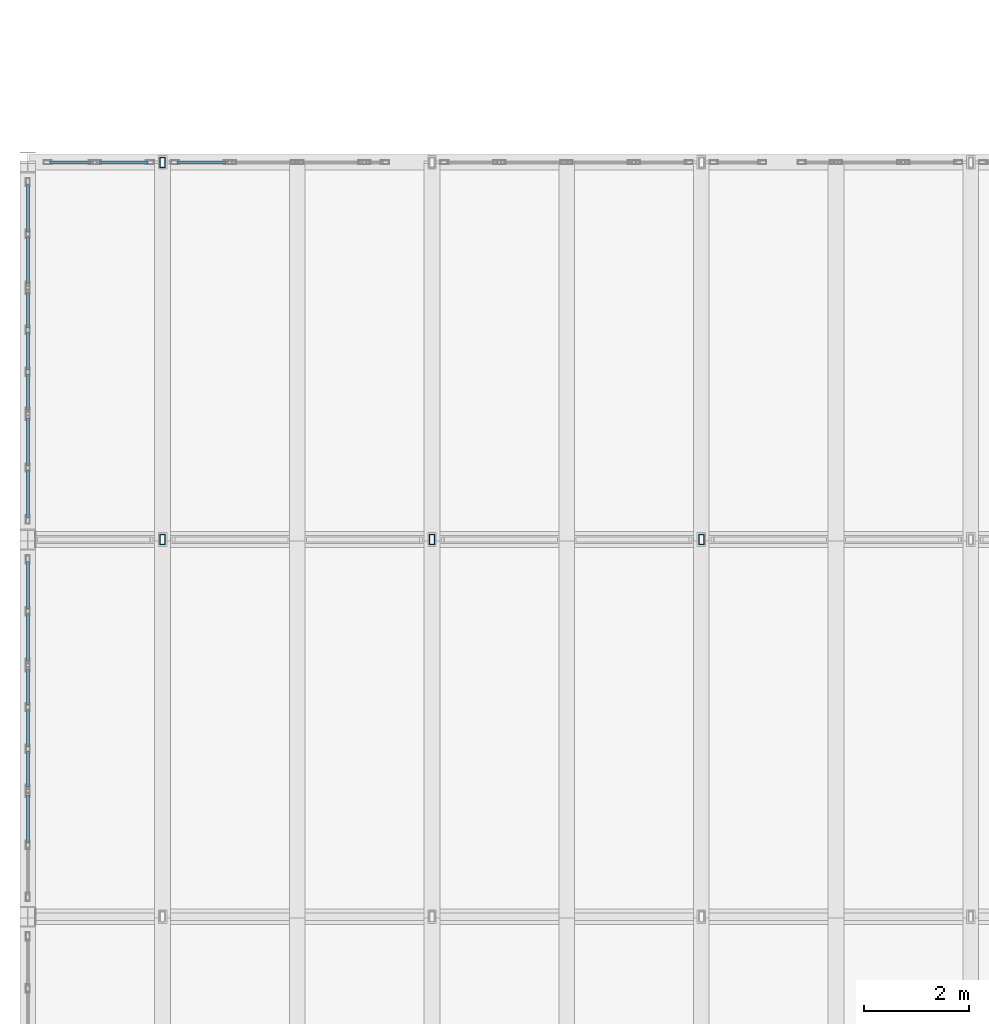
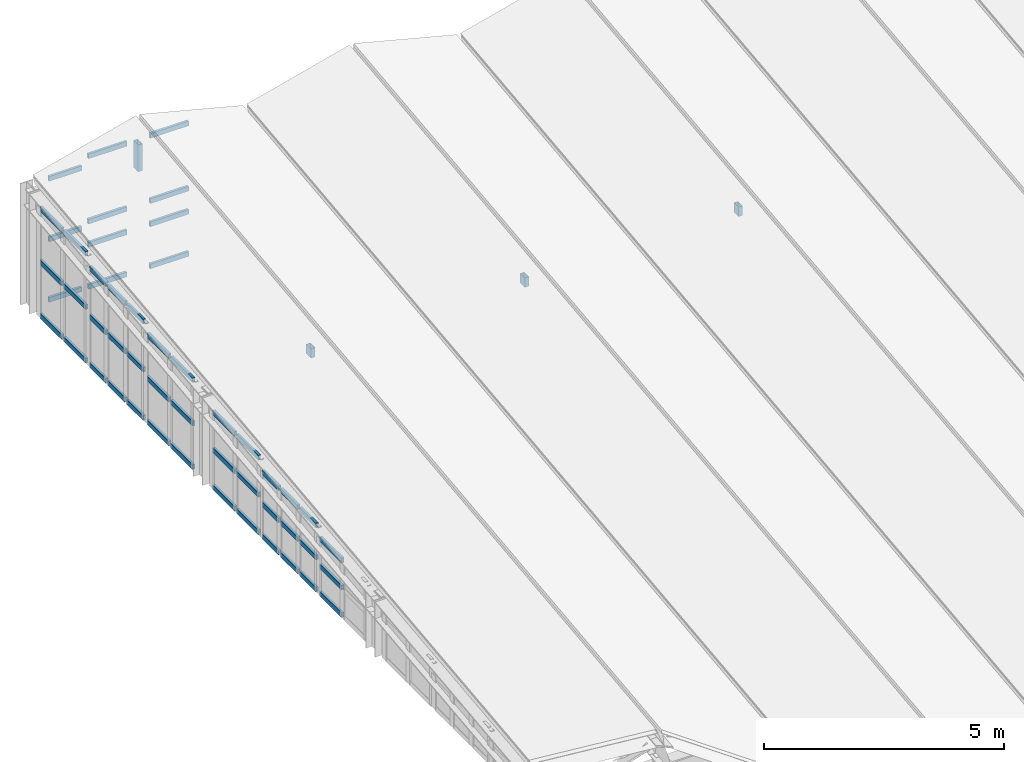
# One storey, part 20 of 39: 54 members, 9 elements without a shape of their own.
"""IFC4 building model written with IfcOpenShell, lengths in metres."""

from ifc_helpers import new_model, si_unit, direction, frame, origin, origin_2d, place, context, subcontext, project, spatial, hollow_rectangle, extrude, material, layer, layer_set, material_profile, profile_set, type_object, element, aggregate, save


model = new_model("IFC4")

# Units and contexts
model_context = context("Model", 3, precision=1e-05, world=origin(), true_north=direction((0.0, 1.0)))
body_context = subcontext(model_context, "Body", "Model", "MODEL_VIEW")
ifc_project = project(units=[si_unit("LENGTHUNIT", "METRE"), si_unit("AREAUNIT", "SQUARE_METRE"), si_unit("VOLUMEUNIT", "CUBIC_METRE"), si_unit("PLANEANGLEUNIT", "RADIAN"), si_unit("MASSUNIT", "GRAM", prefix="KILO"), si_unit("THERMODYNAMICTEMPERATUREUNIT", "KELVIN"), si_unit("POWERUNIT", "WATT")], contexts=[model_context])

# Site, building, storey
site_placement = place(None, origin())
site = spatial("IfcSite", under=ifc_project, at=site_placement, CompositionType="ELEMENT")
building_placement = place(site_placement, origin())
building = spatial("IfcBuilding", under=site, at=building_placement, Name="Kaldorven Railside Theatre", CompositionType="ELEMENT")
storey_placement = place(building_placement, frame((0.0, 0.0, 27.300048828125)))
storey = spatial("IfcBuildingStorey", under=building, at=storey_placement, Name="ROOF", CompositionType="ELEMENT", Elevation=27.300048828125)

# Curtain wall, members
ifc_material_1 = material(Name="Low-E laminated solar-control glass", Category="glass")
ifc_layer_1 = layer(ifc_material_1, 0.159912109375, Name="Low-E laminated solar-control glass")
ifc_layer_set_1 = layer_set([ifc_layer_1], Name="Low-E laminated solar-control glass")
curtain_wall_type_1 = type_object("IfcCurtainWallType", Name="CWT-47", PredefinedType="USERDEFINED", material=ifc_layer_set_1)
curtain_wall_1_placement = place(storey_placement, origin())
curtain_wall_1 = element("IfcCurtainWall", 1, at=curtain_wall_1_placement, inside=storey, type_object=curtain_wall_type_1, Name="Fly-Tower North Crown Clerestory CWG-063", ObjectType="FLUTED GLAZING", PredefinedType="USERDEFINED")
ifc_material_2 = material(Name="Anodised bronze aluminium", Category="aluminium")
ifc_material_profile_1 = material_profile(ifc_material_2, hollow_rectangle(XDim=0.06005859375, YDim=0.1201171875, WallThickness=0.0048828125, at=origin_2d()), Name="RHS 120x60x5")
ifc_profile_set_1 = profile_set([ifc_material_profile_1], Name="Anodised bronze aluminium")
member_type_1 = type_object("IfcMemberType", Name="CWT-120", PredefinedType="USERDEFINED", material=ifc_profile_set_1)
member_1_placement = place(storey_placement, frame((87.6201171875, 112.800048828125, 0.050048828125), z_axis=(1.0, 0.0, 0.0), x_axis=(0.0, 1.0, 0.0)))
member_1 = element("IfcMember", 2, at=member_1_placement, type_object=member_type_1, Name="CWG-063 transom 1.1", ObjectType="TRANSOM", PredefinedType="USERDEFINED", context=body_context, shape_type="SweptSolid", body=[
    extrude(hollow_rectangle(XDim=0.06005859375, YDim=0.1201171875, WallThickness=0.0048828125, at=origin_2d()), origin(), (0.0, 0.0, 1.0), 0.78564453125),
])
member_2_placement = place(storey_placement, frame((87.6201171875, 112.800048828125, 1.58984375), z_axis=(1.0, 0.0, 0.0), x_axis=(0.0, 1.0, 0.0)))
member_2 = element("IfcMember", 3, at=member_2_placement, type_object=member_type_1, Name="CWG-063 transom 1.2", ObjectType="TRANSOM", PredefinedType="USERDEFINED", context=body_context, shape_type="SweptSolid", body=[
    extrude(hollow_rectangle(XDim=0.06005859375, YDim=0.1201171875, WallThickness=0.0048828125, at=origin_2d()), origin(), (0.0, 0.0, 1.0), 0.78564453125),
])
member_3_placement = place(storey_placement, frame((87.6201171875, 112.800048828125, 3.1298828125), z_axis=(1.0, 0.0, 0.0), x_axis=(0.0, 1.0, 0.0)))
member_3 = element("IfcMember", 4, at=member_3_placement, type_object=member_type_1, Name="CWG-063 transom 1.3", ObjectType="TRANSOM", PredefinedType="USERDEFINED", context=body_context, shape_type="SweptSolid", body=[
    extrude(hollow_rectangle(XDim=0.06005859375, YDim=0.1201171875, WallThickness=0.0048828125, at=origin_2d()), origin(), (0.0, 0.0, 1.0), 0.78564453125),
])
aggregate(curtain_wall_1, [member_1, member_2, member_3])

ifc_layer_2 = layer(ifc_material_1, 0.159912109375, Name="Low-E laminated solar-control glass")
ifc_layer_set_2 = layer_set([ifc_layer_2], Name="Low-E laminated solar-control glass")
curtain_wall_type_2 = type_object("IfcCurtainWallType", Name="CWT-48", PredefinedType="USERDEFINED", material=ifc_layer_set_2)
curtain_wall_2_placement = place(storey_placement, origin())
curtain_wall_2 = element("IfcCurtainWall", 5, at=curtain_wall_2_placement, inside=storey, type_object=curtain_wall_type_2, Name="Fly-Tower North Crown Clerestory CWG-064", ObjectType="FLUTED GLAZING", PredefinedType="USERDEFINED")
member_4_placement = place(storey_placement, frame((88.565673828125, 112.800048828125, 0.050048828125), z_axis=(1.0, 0.0, 0.0), x_axis=(0.0, 1.0, 0.0)))
member_4 = element("IfcMember", 6, at=member_4_placement, type_object=member_type_1, Name="CWG-064 transom 1.1", ObjectType="TRANSOM", PredefinedType="USERDEFINED", context=body_context, shape_type="SweptSolid", body=[
    extrude(hollow_rectangle(XDim=0.06005859375, YDim=0.1201171875, WallThickness=0.0048828125, at=origin_2d()), origin(), (0.0, 0.0, 1.0), 0.92578125),
])
member_5_placement = place(storey_placement, frame((88.565673828125, 112.800048828125, 1.119873046875), z_axis=(1.0, 0.0, 0.0), x_axis=(0.0, 1.0, 0.0)))
member_5 = element("IfcMember", 7, at=member_5_placement, type_object=member_type_1, Name="CWG-064 transom 1.2", ObjectType="TRANSOM", PredefinedType="USERDEFINED", context=body_context, shape_type="SweptSolid", body=[
    extrude(hollow_rectangle(XDim=0.06005859375, YDim=0.1201171875, WallThickness=0.0048828125, at=origin_2d()), origin(), (0.0, 0.0, 1.0), 0.92578125),
])
member_6_placement = place(storey_placement, frame((88.565673828125, 112.800048828125, 1.7099609375), z_axis=(1.0, 0.0, 0.0), x_axis=(0.0, 1.0, 0.0)))
member_6 = element("IfcMember", 8, at=member_6_placement, type_object=member_type_1, Name="CWG-064 transom 1.3", ObjectType="TRANSOM", PredefinedType="USERDEFINED", context=body_context, shape_type="SweptSolid", body=[
    extrude(hollow_rectangle(XDim=0.06005859375, YDim=0.1201171875, WallThickness=0.0048828125, at=origin_2d()), origin(), (0.0, 0.0, 1.0), 0.92578125),
])
member_7_placement = place(storey_placement, frame((88.565673828125, 112.800048828125, 3.369873046875), z_axis=(1.0, 0.0, 0.0), x_axis=(0.0, 1.0, 0.0)))
member_7 = element("IfcMember", 9, at=member_7_placement, type_object=member_type_1, Name="CWG-064 transom 1.4", ObjectType="TRANSOM", PredefinedType="USERDEFINED", context=body_context, shape_type="SweptSolid", body=[
    extrude(hollow_rectangle(XDim=0.06005859375, YDim=0.1201171875, WallThickness=0.0048828125, at=origin_2d()), origin(), (0.0, 0.0, 1.0), 0.92578125),
])
aggregate(curtain_wall_2, [member_4, member_5, member_6, member_7])

curtain_wall_3_placement = place(storey_placement, origin())
curtain_wall_3 = element("IfcCurtainWall", 10, at=curtain_wall_3_placement, inside=storey, type_object=curtain_wall_type_2, Name="Fly-Tower North Crown Clerestory CWG-065", ObjectType="FLUTED GLAZING", PredefinedType="USERDEFINED")
member_8_placement = place(storey_placement, frame((90.051513671875, 112.800048828125, 0.050048828125), z_axis=(1.0, 0.0, 0.0), x_axis=(0.0, 1.0, 0.0)))
member_8 = element("IfcMember", 11, at=member_8_placement, type_object=member_type_1, Name="CWG-065 transom 1.1", ObjectType="TRANSOM", PredefinedType="USERDEFINED", context=body_context, shape_type="SweptSolid", body=[
    extrude(hollow_rectangle(XDim=0.06005859375, YDim=0.1201171875, WallThickness=0.0048828125, at=origin_2d()), origin(), (0.0, 0.0, 1.0), 0.925537109375),
])
member_9_placement = place(storey_placement, frame((90.051513671875, 112.800048828125, 1.119873046875), z_axis=(1.0, 0.0, 0.0), x_axis=(0.0, 1.0, 0.0)))
member_9 = element("IfcMember", 12, at=member_9_placement, type_object=member_type_1, Name="CWG-065 transom 1.2", ObjectType="TRANSOM", PredefinedType="USERDEFINED", context=body_context, shape_type="SweptSolid", body=[
    extrude(hollow_rectangle(XDim=0.06005859375, YDim=0.1201171875, WallThickness=0.0048828125, at=origin_2d()), origin(), (0.0, 0.0, 1.0), 0.925537109375),
])
member_10_placement = place(storey_placement, frame((90.051513671875, 112.800048828125, 1.7099609375), z_axis=(1.0, 0.0, 0.0), x_axis=(0.0, 1.0, 0.0)))
member_10 = element("IfcMember", 13, at=member_10_placement, type_object=member_type_1, Name="CWG-065 transom 1.3", ObjectType="TRANSOM", PredefinedType="USERDEFINED", context=body_context, shape_type="SweptSolid", body=[
    extrude(hollow_rectangle(XDim=0.06005859375, YDim=0.1201171875, WallThickness=0.0048828125, at=origin_2d()), origin(), (0.0, 0.0, 1.0), 0.925537109375),
])
member_11_placement = place(storey_placement, frame((90.051513671875, 112.800048828125, 3.369873046875), z_axis=(1.0, 0.0, 0.0), x_axis=(0.0, 1.0, 0.0)))
member_11 = element("IfcMember", 14, at=member_11_placement, type_object=member_type_1, Name="CWG-065 transom 1.4", ObjectType="TRANSOM", PredefinedType="USERDEFINED", context=body_context, shape_type="SweptSolid", body=[
    extrude(hollow_rectangle(XDim=0.06005859375, YDim=0.1201171875, WallThickness=0.0048828125, at=origin_2d()), origin(), (0.0, 0.0, 1.0), 0.925537109375),
])
aggregate(curtain_wall_3, [member_8, member_9, member_10, member_11])

ifc_layer_3 = layer(ifc_material_1, 0.159912109375, Name="Low-E laminated solar-control glass")
ifc_layer_set_3 = layer_set([ifc_layer_3], Name="Low-E laminated solar-control glass")
curtain_wall_type_3 = type_object("IfcCurtainWallType", Name="CWT-55", PredefinedType="USERDEFINED", material=ifc_layer_set_3)
curtain_wall_4_placement = place(storey_placement, origin())
curtain_wall_4 = element("IfcCurtainWall", 15, at=curtain_wall_4_placement, inside=storey, type_object=curtain_wall_type_3, Name="Fly-Tower West Crown Clerestory CWG-095", ObjectType="FLUTED GLAZING", PredefinedType="USERDEFINED")
member_12_placement = place(storey_placement, frame((87.199951171875, 99.81005859375, 0.050048828125), z_axis=(0.0, 1.0, 0.0), x_axis=(-1.0, 0.0, 0.0)))
member_12 = element("IfcMember", 16, at=member_12_placement, type_object=member_type_1, Name="CWG-095 transom 2.1", ObjectType="TRANSOM", PredefinedType="USERDEFINED", context=body_context, shape_type="SweptSolid", body=[
    extrude(hollow_rectangle(XDim=0.06005859375, YDim=0.1201171875, WallThickness=0.0048828125, at=origin_2d()), origin(), (0.0, 0.0, 1.0), 0.909912109375),
])
member_13_placement = place(storey_placement, frame((87.199951171875, 99.81005859375, 0.744873046875), z_axis=(0.0, 1.0, 0.0), x_axis=(-1.0, 0.0, 0.0)))
member_13 = element("IfcMember", 17, at=member_13_placement, type_object=member_type_1, Name="CWG-095 transom 2.2", ObjectType="TRANSOM", PredefinedType="USERDEFINED", context=body_context, shape_type="SweptSolid", body=[
    extrude(hollow_rectangle(XDim=0.06005859375, YDim=0.1201171875, WallThickness=0.0048828125, at=origin_2d()), origin(), (0.0, 0.0, 1.0), 0.909912109375),
])
member_14_placement = place(storey_placement, frame((87.199951171875, 99.81005859375, 1.43994140625), z_axis=(0.0, 1.0, 0.0), x_axis=(-1.0, 0.0, 0.0)))
member_14 = element("IfcMember", 18, at=member_14_placement, type_object=member_type_1, Name="CWG-095 transom 2.3", ObjectType="TRANSOM", PredefinedType="USERDEFINED", context=body_context, shape_type="SweptSolid", body=[
    extrude(hollow_rectangle(XDim=0.06005859375, YDim=0.1201171875, WallThickness=0.0048828125, at=origin_2d()), origin(), (0.0, 0.0, 1.0), 0.909912109375),
])
aggregate(curtain_wall_4, [member_12, member_13, member_14])

ifc_layer_4 = layer(ifc_material_1, 0.159912109375, Name="Low-E laminated solar-control glass")
ifc_layer_set_4 = layer_set([ifc_layer_4], Name="Low-E laminated solar-control glass")
curtain_wall_type_4 = type_object("IfcCurtainWallType", Name="CWT-56", PredefinedType="USERDEFINED", material=ifc_layer_set_4)
curtain_wall_5_placement = place(storey_placement, origin())
curtain_wall_5 = element("IfcCurtainWall", 19, at=curtain_wall_5_placement, inside=storey, type_object=curtain_wall_type_4, Name="Fly-Tower West Crown Clerestory CWG-096", ObjectType="FLUTED GLAZING", PredefinedType="USERDEFINED")
member_15_placement = place(storey_placement, frame((87.199951171875, 100.8798828125, 0.050048828125), z_axis=(0.0, 1.0, 0.0), x_axis=(-1.0, 0.0, 0.0)))
member_15 = element("IfcMember", 20, at=member_15_placement, type_object=member_type_1, Name="CWG-096 transom 1.1", ObjectType="TRANSOM", PredefinedType="USERDEFINED", context=body_context, shape_type="SweptSolid", body=[
    extrude(hollow_rectangle(XDim=0.06005859375, YDim=0.1201171875, WallThickness=0.0048828125, at=origin_2d()), origin(), (0.0, 0.0, 1.0), 0.68017578125),
])
member_16_placement = place(storey_placement, frame((87.199951171875, 100.8798828125, 0.864990234375), z_axis=(0.0, 1.0, 0.0), x_axis=(-1.0, 0.0, 0.0)))
member_16 = element("IfcMember", 21, at=member_16_placement, type_object=member_type_1, Name="CWG-096 transom 1.2", ObjectType="TRANSOM", PredefinedType="USERDEFINED", context=body_context, shape_type="SweptSolid", body=[
    extrude(hollow_rectangle(XDim=0.06005859375, YDim=0.1201171875, WallThickness=0.0048828125, at=origin_2d()), origin(), (0.0, 0.0, 1.0), 0.68017578125),
])
member_17_placement = place(storey_placement, frame((87.199951171875, 100.8798828125, 1.679931640625), z_axis=(0.0, 1.0, 0.0), x_axis=(-1.0, 0.0, 0.0)))
member_17 = element("IfcMember", 22, at=member_17_placement, type_object=member_type_1, Name="CWG-096 transom 1.3", ObjectType="TRANSOM", PredefinedType="USERDEFINED", context=body_context, shape_type="SweptSolid", body=[
    extrude(hollow_rectangle(XDim=0.06005859375, YDim=0.1201171875, WallThickness=0.0048828125, at=origin_2d()), origin(), (0.0, 0.0, 1.0), 0.68017578125),
])
member_18_placement = place(storey_placement, frame((87.199951171875, 101.639892578125, 0.050048828125), z_axis=(0.0, 1.0, 0.0), x_axis=(-1.0, 0.0, 0.0)))
member_18 = element("IfcMember", 23, at=member_18_placement, type_object=member_type_1, Name="CWG-096 transom 2.1", ObjectType="TRANSOM", PredefinedType="USERDEFINED", context=body_context, shape_type="SweptSolid", body=[
    extrude(hollow_rectangle(XDim=0.06005859375, YDim=0.1201171875, WallThickness=0.0048828125, at=origin_2d()), origin(), (0.0, 0.0, 1.0), 0.72021484375),
])
member_19_placement = place(storey_placement, frame((87.199951171875, 101.639892578125, 0.864990234375), z_axis=(0.0, 1.0, 0.0), x_axis=(-1.0, 0.0, 0.0)))
member_19 = element("IfcMember", 24, at=member_19_placement, type_object=member_type_1, Name="CWG-096 transom 2.2", ObjectType="TRANSOM", PredefinedType="USERDEFINED", context=body_context, shape_type="SweptSolid", body=[
    extrude(hollow_rectangle(XDim=0.06005859375, YDim=0.1201171875, WallThickness=0.0048828125, at=origin_2d()), origin(), (0.0, 0.0, 1.0), 0.72021484375),
])
member_20_placement = place(storey_placement, frame((87.199951171875, 101.639892578125, 1.679931640625), z_axis=(0.0, 1.0, 0.0), x_axis=(-1.0, 0.0, 0.0)))
member_20 = element("IfcMember", 25, at=member_20_placement, type_object=member_type_1, Name="CWG-096 transom 2.3", ObjectType="TRANSOM", PredefinedType="USERDEFINED", context=body_context, shape_type="SweptSolid", body=[
    extrude(hollow_rectangle(XDim=0.06005859375, YDim=0.1201171875, WallThickness=0.0048828125, at=origin_2d()), origin(), (0.0, 0.0, 1.0), 0.72021484375),
])
member_21_placement = place(storey_placement, frame((87.199951171875, 102.43994140625, 0.050048828125), z_axis=(0.0, 1.0, 0.0), x_axis=(-1.0, 0.0, 0.0)))
member_21 = element("IfcMember", 26, at=member_21_placement, type_object=member_type_1, Name="CWG-096 transom 3.1", ObjectType="TRANSOM", PredefinedType="USERDEFINED", context=body_context, shape_type="SweptSolid", body=[
    extrude(hollow_rectangle(XDim=0.06005859375, YDim=0.1201171875, WallThickness=0.0048828125, at=origin_2d()), origin(), (0.0, 0.0, 1.0), 0.68017578125),
])
member_22_placement = place(storey_placement, frame((87.199951171875, 102.43994140625, 0.864990234375), z_axis=(0.0, 1.0, 0.0), x_axis=(-1.0, 0.0, 0.0)))
member_22 = element("IfcMember", 27, at=member_22_placement, type_object=member_type_1, Name="CWG-096 transom 3.2", ObjectType="TRANSOM", PredefinedType="USERDEFINED", context=body_context, shape_type="SweptSolid", body=[
    extrude(hollow_rectangle(XDim=0.06005859375, YDim=0.1201171875, WallThickness=0.0048828125, at=origin_2d()), origin(), (0.0, 0.0, 1.0), 0.68017578125),
])
member_23_placement = place(storey_placement, frame((87.199951171875, 102.43994140625, 1.679931640625), z_axis=(0.0, 1.0, 0.0), x_axis=(-1.0, 0.0, 0.0)))
member_23 = element("IfcMember", 28, at=member_23_placement, type_object=member_type_1, Name="CWG-096 transom 3.3", ObjectType="TRANSOM", PredefinedType="USERDEFINED", context=body_context, shape_type="SweptSolid", body=[
    extrude(hollow_rectangle(XDim=0.06005859375, YDim=0.1201171875, WallThickness=0.0048828125, at=origin_2d()), origin(), (0.0, 0.0, 1.0), 0.68017578125),
])
aggregate(curtain_wall_5, [member_15, member_16, member_17, member_18, member_19, member_20, member_21, member_22, member_23])

ifc_layer_5 = layer(ifc_material_1, 0.159912109375, Name="Low-E laminated solar-control glass")
ifc_layer_set_5 = layer_set([ifc_layer_5], Name="Low-E laminated solar-control glass")
curtain_wall_type_5 = type_object("IfcCurtainWallType", Name="CWT-57", PredefinedType="USERDEFINED", material=ifc_layer_set_5)
curtain_wall_6_placement = place(storey_placement, origin())
curtain_wall_6 = element("IfcCurtainWall", 29, at=curtain_wall_6_placement, inside=storey, type_object=curtain_wall_type_5, Name="Fly-Tower West Crown Clerestory CWG-097", ObjectType="FLUTED GLAZING", PredefinedType="USERDEFINED")
member_24_placement = place(storey_placement, frame((87.199951171875, 103.280029296875, 0.050048828125), z_axis=(0.0, 1.0, 0.0), x_axis=(-1.0, 0.0, 0.0)))
member_24 = element("IfcMember", 30, at=member_24_placement, type_object=member_type_1, Name="CWG-097 transom 1.1", ObjectType="TRANSOM", PredefinedType="USERDEFINED", context=body_context, shape_type="SweptSolid", body=[
    extrude(hollow_rectangle(XDim=0.06005859375, YDim=0.1201171875, WallThickness=0.0048828125, at=origin_2d()), origin(), (0.0, 0.0, 1.0), 0.909912109375),
])
member_25_placement = place(storey_placement, frame((87.199951171875, 103.280029296875, 1.0), z_axis=(0.0, 1.0, 0.0), x_axis=(-1.0, 0.0, 0.0)))
member_25 = element("IfcMember", 31, at=member_25_placement, type_object=member_type_1, Name="CWG-097 transom 1.2", ObjectType="TRANSOM", PredefinedType="USERDEFINED", context=body_context, shape_type="SweptSolid", body=[
    extrude(hollow_rectangle(XDim=0.06005859375, YDim=0.1201171875, WallThickness=0.0048828125, at=origin_2d()), origin(), (0.0, 0.0, 1.0), 0.909912109375),
])
member_26_placement = place(storey_placement, frame((87.199951171875, 103.280029296875, 1.949951171875), z_axis=(0.0, 1.0, 0.0), x_axis=(-1.0, 0.0, 0.0)))
member_26 = element("IfcMember", 32, at=member_26_placement, type_object=member_type_1, Name="CWG-097 transom 1.3", ObjectType="TRANSOM", PredefinedType="USERDEFINED", context=body_context, shape_type="SweptSolid", body=[
    extrude(hollow_rectangle(XDim=0.06005859375, YDim=0.1201171875, WallThickness=0.0048828125, at=origin_2d()), origin(), (0.0, 0.0, 1.0), 0.909912109375),
])
member_27_placement = place(storey_placement, frame((87.199951171875, 104.27001953125, 0.050048828125), z_axis=(0.0, 1.0, 0.0), x_axis=(-1.0, 0.0, 0.0)))
member_27 = element("IfcMember", 33, at=member_27_placement, type_object=member_type_1, Name="CWG-097 transom 2.1", ObjectType="TRANSOM", PredefinedType="USERDEFINED", context=body_context, shape_type="SweptSolid", body=[
    extrude(hollow_rectangle(XDim=0.06005859375, YDim=0.1201171875, WallThickness=0.0048828125, at=origin_2d()), origin(), (0.0, 0.0, 1.0), 0.909912109375),
])
member_28_placement = place(storey_placement, frame((87.199951171875, 104.27001953125, 1.0), z_axis=(0.0, 1.0, 0.0), x_axis=(-1.0, 0.0, 0.0)))
member_28 = element("IfcMember", 34, at=member_28_placement, type_object=member_type_1, Name="CWG-097 transom 2.2", ObjectType="TRANSOM", PredefinedType="USERDEFINED", context=body_context, shape_type="SweptSolid", body=[
    extrude(hollow_rectangle(XDim=0.06005859375, YDim=0.1201171875, WallThickness=0.0048828125, at=origin_2d()), origin(), (0.0, 0.0, 1.0), 0.909912109375),
])
member_29_placement = place(storey_placement, frame((87.199951171875, 104.27001953125, 1.949951171875), z_axis=(0.0, 1.0, 0.0), x_axis=(-1.0, 0.0, 0.0)))
member_29 = element("IfcMember", 35, at=member_29_placement, type_object=member_type_1, Name="CWG-097 transom 2.3", ObjectType="TRANSOM", PredefinedType="USERDEFINED", context=body_context, shape_type="SweptSolid", body=[
    extrude(hollow_rectangle(XDim=0.06005859375, YDim=0.1201171875, WallThickness=0.0048828125, at=origin_2d()), origin(), (0.0, 0.0, 1.0), 0.909912109375),
])
aggregate(curtain_wall_6, [member_24, member_25, member_26, member_27, member_28, member_29])

ifc_layer_6 = layer(ifc_material_1, 0.159912109375, Name="Low-E laminated solar-control glass")
ifc_layer_set_6 = layer_set([ifc_layer_6], Name="Low-E laminated solar-control glass")
curtain_wall_type_6 = type_object("IfcCurtainWallType", Name="CWT-58", PredefinedType="USERDEFINED", material=ifc_layer_set_6)
curtain_wall_7_placement = place(storey_placement, origin())
curtain_wall_7 = element("IfcCurtainWall", 36, at=curtain_wall_7_placement, inside=storey, type_object=curtain_wall_type_6, Name="Fly-Tower West Crown Clerestory CWG-098", ObjectType="FLUTED GLAZING", PredefinedType="USERDEFINED")
member_30_placement = place(storey_placement, frame((87.199951171875, 106.02001953125, 0.050048828125), z_axis=(0.0, 1.0, 0.0), x_axis=(-1.0, 0.0, 0.0)))
member_30 = element("IfcMember", 37, at=member_30_placement, type_object=member_type_1, Name="CWG-098 transom 1.1", ObjectType="TRANSOM", PredefinedType="USERDEFINED", context=body_context, shape_type="SweptSolid", body=[
    extrude(hollow_rectangle(XDim=0.06005859375, YDim=0.1201171875, WallThickness=0.0048828125, at=origin_2d()), origin(), (0.0, 0.0, 1.0), 0.909912109375),
])
member_31_placement = place(storey_placement, frame((87.199951171875, 106.02001953125, 1.155029296875), z_axis=(0.0, 1.0, 0.0), x_axis=(-1.0, 0.0, 0.0)))
member_31 = element("IfcMember", 38, at=member_31_placement, type_object=member_type_1, Name="CWG-098 transom 1.2", ObjectType="TRANSOM", PredefinedType="USERDEFINED", context=body_context, shape_type="SweptSolid", body=[
    extrude(hollow_rectangle(XDim=0.06005859375, YDim=0.1201171875, WallThickness=0.0048828125, at=origin_2d()), origin(), (0.0, 0.0, 1.0), 0.909912109375),
])
member_32_placement = place(storey_placement, frame((87.199951171875, 106.02001953125, 2.260009765625), z_axis=(0.0, 1.0, 0.0), x_axis=(-1.0, 0.0, 0.0)))
member_32 = element("IfcMember", 39, at=member_32_placement, type_object=member_type_1, Name="CWG-098 transom 1.3", ObjectType="TRANSOM", PredefinedType="USERDEFINED", context=body_context, shape_type="SweptSolid", body=[
    extrude(hollow_rectangle(XDim=0.06005859375, YDim=0.1201171875, WallThickness=0.0048828125, at=origin_2d()), origin(), (0.0, 0.0, 1.0), 0.909912109375),
])
member_33_placement = place(storey_placement, frame((87.199951171875, 107.010009765625, 0.050048828125), z_axis=(0.0, 1.0, 0.0), x_axis=(-1.0, 0.0, 0.0)))
member_33 = element("IfcMember", 40, at=member_33_placement, type_object=member_type_1, Name="CWG-098 transom 2.1", ObjectType="TRANSOM", PredefinedType="USERDEFINED", context=body_context, shape_type="SweptSolid", body=[
    extrude(hollow_rectangle(XDim=0.06005859375, YDim=0.1201171875, WallThickness=0.0048828125, at=origin_2d()), origin(), (0.0, 0.0, 1.0), 0.909912109375),
])
member_34_placement = place(storey_placement, frame((87.199951171875, 107.010009765625, 1.155029296875), z_axis=(0.0, 1.0, 0.0), x_axis=(-1.0, 0.0, 0.0)))
member_34 = element("IfcMember", 41, at=member_34_placement, type_object=member_type_1, Name="CWG-098 transom 2.2", ObjectType="TRANSOM", PredefinedType="USERDEFINED", context=body_context, shape_type="SweptSolid", body=[
    extrude(hollow_rectangle(XDim=0.06005859375, YDim=0.1201171875, WallThickness=0.0048828125, at=origin_2d()), origin(), (0.0, 0.0, 1.0), 0.909912109375),
])
member_35_placement = place(storey_placement, frame((87.199951171875, 107.010009765625, 2.260009765625), z_axis=(0.0, 1.0, 0.0), x_axis=(-1.0, 0.0, 0.0)))
member_35 = element("IfcMember", 42, at=member_35_placement, type_object=member_type_1, Name="CWG-098 transom 2.3", ObjectType="TRANSOM", PredefinedType="USERDEFINED", context=body_context, shape_type="SweptSolid", body=[
    extrude(hollow_rectangle(XDim=0.06005859375, YDim=0.1201171875, WallThickness=0.0048828125, at=origin_2d()), origin(), (0.0, 0.0, 1.0), 0.909912109375),
])
aggregate(curtain_wall_7, [member_30, member_31, member_32, member_33, member_34, member_35])

ifc_layer_7 = layer(ifc_material_1, 0.159912109375, Name="Low-E laminated solar-control glass")
ifc_layer_set_7 = layer_set([ifc_layer_7], Name="Low-E laminated solar-control glass")
curtain_wall_type_7 = type_object("IfcCurtainWallType", Name="CWT-33", PredefinedType="USERDEFINED", material=ifc_layer_set_7)
curtain_wall_8_placement = place(storey_placement, origin())
curtain_wall_8 = element("IfcCurtainWall", 43, at=curtain_wall_8_placement, inside=storey, type_object=curtain_wall_type_7, Name="Fly-Tower West Crown Clerestory CWG-099", ObjectType="FLUTED GLAZING", PredefinedType="USERDEFINED")
member_36_placement = place(storey_placement, frame((87.199951171875, 108.080078125, 0.050048828125), z_axis=(0.0, 1.0, 0.0), x_axis=(-1.0, 0.0, 0.0)))
member_36 = element("IfcMember", 44, at=member_36_placement, type_object=member_type_1, Name="CWG-099 transom 1.1", ObjectType="TRANSOM", PredefinedType="USERDEFINED", context=body_context, shape_type="SweptSolid", body=[
    extrude(hollow_rectangle(XDim=0.06005859375, YDim=0.1201171875, WallThickness=0.0048828125, at=origin_2d()), origin(), (0.0, 0.0, 1.0), 0.679931640625),
])
member_37_placement = place(storey_placement, frame((87.199951171875, 108.080078125, 1.27490234375), z_axis=(0.0, 1.0, 0.0), x_axis=(-1.0, 0.0, 0.0)))
member_37 = element("IfcMember", 45, at=member_37_placement, type_object=member_type_1, Name="CWG-099 transom 1.2", ObjectType="TRANSOM", PredefinedType="USERDEFINED", context=body_context, shape_type="SweptSolid", body=[
    extrude(hollow_rectangle(XDim=0.06005859375, YDim=0.1201171875, WallThickness=0.0048828125, at=origin_2d()), origin(), (0.0, 0.0, 1.0), 0.679931640625),
])
member_38_placement = place(storey_placement, frame((87.199951171875, 108.080078125, 2.5), z_axis=(0.0, 1.0, 0.0), x_axis=(-1.0, 0.0, 0.0)))
member_38 = element("IfcMember", 46, at=member_38_placement, type_object=member_type_1, Name="CWG-099 transom 1.3", ObjectType="TRANSOM", PredefinedType="USERDEFINED", context=body_context, shape_type="SweptSolid", body=[
    extrude(hollow_rectangle(XDim=0.06005859375, YDim=0.1201171875, WallThickness=0.0048828125, at=origin_2d()), origin(), (0.0, 0.0, 1.0), 0.679931640625),
])
member_39_placement = place(storey_placement, frame((87.199951171875, 108.840087890625, 0.050048828125), z_axis=(0.0, 1.0, 0.0), x_axis=(-1.0, 0.0, 0.0)))
member_39 = element("IfcMember", 47, at=member_39_placement, type_object=member_type_1, Name="CWG-099 transom 2.1", ObjectType="TRANSOM", PredefinedType="USERDEFINED", context=body_context, shape_type="SweptSolid", body=[
    extrude(hollow_rectangle(XDim=0.06005859375, YDim=0.1201171875, WallThickness=0.0048828125, at=origin_2d()), origin(), (0.0, 0.0, 1.0), 0.719970703125),
])
member_40_placement = place(storey_placement, frame((87.199951171875, 108.840087890625, 1.27490234375), z_axis=(0.0, 1.0, 0.0), x_axis=(-1.0, 0.0, 0.0)))
member_40 = element("IfcMember", 48, at=member_40_placement, type_object=member_type_1, Name="CWG-099 transom 2.2", ObjectType="TRANSOM", PredefinedType="USERDEFINED", context=body_context, shape_type="SweptSolid", body=[
    extrude(hollow_rectangle(XDim=0.06005859375, YDim=0.1201171875, WallThickness=0.0048828125, at=origin_2d()), origin(), (0.0, 0.0, 1.0), 0.719970703125),
])
member_41_placement = place(storey_placement, frame((87.199951171875, 108.840087890625, 2.5), z_axis=(0.0, 1.0, 0.0), x_axis=(-1.0, 0.0, 0.0)))
member_41 = element("IfcMember", 49, at=member_41_placement, type_object=member_type_1, Name="CWG-099 transom 2.3", ObjectType="TRANSOM", PredefinedType="USERDEFINED", context=body_context, shape_type="SweptSolid", body=[
    extrude(hollow_rectangle(XDim=0.06005859375, YDim=0.1201171875, WallThickness=0.0048828125, at=origin_2d()), origin(), (0.0, 0.0, 1.0), 0.719970703125),
])
member_42_placement = place(storey_placement, frame((87.199951171875, 109.639892578125, 0.050048828125), z_axis=(0.0, 1.0, 0.0), x_axis=(-1.0, 0.0, 0.0)))
member_42 = element("IfcMember", 50, at=member_42_placement, type_object=member_type_1, Name="CWG-099 transom 3.1", ObjectType="TRANSOM", PredefinedType="USERDEFINED", context=body_context, shape_type="SweptSolid", body=[
    extrude(hollow_rectangle(XDim=0.06005859375, YDim=0.1201171875, WallThickness=0.0048828125, at=origin_2d()), origin(), (0.0, 0.0, 1.0), 0.68017578125),
])
member_43_placement = place(storey_placement, frame((87.199951171875, 109.639892578125, 1.27490234375), z_axis=(0.0, 1.0, 0.0), x_axis=(-1.0, 0.0, 0.0)))
member_43 = element("IfcMember", 51, at=member_43_placement, type_object=member_type_1, Name="CWG-099 transom 3.2", ObjectType="TRANSOM", PredefinedType="USERDEFINED", context=body_context, shape_type="SweptSolid", body=[
    extrude(hollow_rectangle(XDim=0.06005859375, YDim=0.1201171875, WallThickness=0.0048828125, at=origin_2d()), origin(), (0.0, 0.0, 1.0), 0.68017578125),
])
member_44_placement = place(storey_placement, frame((87.199951171875, 109.639892578125, 2.5), z_axis=(0.0, 1.0, 0.0), x_axis=(-1.0, 0.0, 0.0)))
member_44 = element("IfcMember", 52, at=member_44_placement, type_object=member_type_1, Name="CWG-099 transom 3.3", ObjectType="TRANSOM", PredefinedType="USERDEFINED", context=body_context, shape_type="SweptSolid", body=[
    extrude(hollow_rectangle(XDim=0.06005859375, YDim=0.1201171875, WallThickness=0.0048828125, at=origin_2d()), origin(), (0.0, 0.0, 1.0), 0.68017578125),
])
aggregate(curtain_wall_8, [member_36, member_37, member_38, member_39, member_40, member_41, member_42, member_43, member_44])

ifc_layer_8 = layer(ifc_material_1, 0.159912109375, Name="Low-E laminated solar-control glass")
ifc_layer_set_8 = layer_set([ifc_layer_8], Name="Low-E laminated solar-control glass")
curtain_wall_type_8 = type_object("IfcCurtainWallType", Name="CWT-59", PredefinedType="USERDEFINED", material=ifc_layer_set_8)
curtain_wall_9_placement = place(storey_placement, origin())
curtain_wall_9 = element("IfcCurtainWall", 53, at=curtain_wall_9_placement, inside=storey, type_object=curtain_wall_type_8, Name="Fly-Tower West Crown Clerestory CWG-100", ObjectType="FLUTED GLAZING", PredefinedType="USERDEFINED")
member_45_placement = place(storey_placement, frame((87.199951171875, 110.47998046875, 0.050048828125), z_axis=(0.0, 1.0, 0.0), x_axis=(-1.0, 0.0, 0.0)))
member_45 = element("IfcMember", 54, at=member_45_placement, type_object=member_type_1, Name="CWG-100 transom 1.1", ObjectType="TRANSOM", PredefinedType="USERDEFINED", context=body_context, shape_type="SweptSolid", body=[
    extrude(hollow_rectangle(XDim=0.06005859375, YDim=0.1201171875, WallThickness=0.0048828125, at=origin_2d()), origin(), (0.0, 0.0, 1.0), 0.909912109375),
])
member_46_placement = place(storey_placement, frame((87.199951171875, 110.47998046875, 1.409912109375), z_axis=(0.0, 1.0, 0.0), x_axis=(-1.0, 0.0, 0.0)))
member_46 = element("IfcMember", 55, at=member_46_placement, type_object=member_type_1, Name="CWG-100 transom 1.2", ObjectType="TRANSOM", PredefinedType="USERDEFINED", context=body_context, shape_type="SweptSolid", body=[
    extrude(hollow_rectangle(XDim=0.06005859375, YDim=0.1201171875, WallThickness=0.0048828125, at=origin_2d()), origin(), (0.0, 0.0, 1.0), 0.909912109375),
])
member_47_placement = place(storey_placement, frame((87.199951171875, 110.47998046875, 2.77001953125), z_axis=(0.0, 1.0, 0.0), x_axis=(-1.0, 0.0, 0.0)))
member_47 = element("IfcMember", 56, at=member_47_placement, type_object=member_type_1, Name="CWG-100 transom 1.3", ObjectType="TRANSOM", PredefinedType="USERDEFINED", context=body_context, shape_type="SweptSolid", body=[
    extrude(hollow_rectangle(XDim=0.06005859375, YDim=0.1201171875, WallThickness=0.0048828125, at=origin_2d()), origin(), (0.0, 0.0, 1.0), 0.909912109375),
])
member_48_placement = place(storey_placement, frame((87.199951171875, 111.469970703125, 0.050048828125), z_axis=(0.0, 1.0, 0.0), x_axis=(-1.0, 0.0, 0.0)))
member_48 = element("IfcMember", 57, at=member_48_placement, type_object=member_type_1, Name="CWG-100 transom 2.1", ObjectType="TRANSOM", PredefinedType="USERDEFINED", context=body_context, shape_type="SweptSolid", body=[
    extrude(hollow_rectangle(XDim=0.06005859375, YDim=0.1201171875, WallThickness=0.0048828125, at=origin_2d()), origin(), (0.0, 0.0, 1.0), 0.909912109375),
])
member_49_placement = place(storey_placement, frame((87.199951171875, 111.469970703125, 1.409912109375), z_axis=(0.0, 1.0, 0.0), x_axis=(-1.0, 0.0, 0.0)))
member_49 = element("IfcMember", 58, at=member_49_placement, type_object=member_type_1, Name="CWG-100 transom 2.2", ObjectType="TRANSOM", PredefinedType="USERDEFINED", context=body_context, shape_type="SweptSolid", body=[
    extrude(hollow_rectangle(XDim=0.06005859375, YDim=0.1201171875, WallThickness=0.0048828125, at=origin_2d()), origin(), (0.0, 0.0, 1.0), 0.909912109375),
])
member_50_placement = place(storey_placement, frame((87.199951171875, 111.469970703125, 2.77001953125), z_axis=(0.0, 1.0, 0.0), x_axis=(-1.0, 0.0, 0.0)))
member_50 = element("IfcMember", 59, at=member_50_placement, type_object=member_type_1, Name="CWG-100 transom 2.3", ObjectType="TRANSOM", PredefinedType="USERDEFINED", context=body_context, shape_type="SweptSolid", body=[
    extrude(hollow_rectangle(XDim=0.06005859375, YDim=0.1201171875, WallThickness=0.0048828125, at=origin_2d()), origin(), (0.0, 0.0, 1.0), 0.909912109375),
])
aggregate(curtain_wall_9, [member_45, member_46, member_47, member_48, member_49, member_50])

# Members
ifc_material_3 = material(Name="Steel S355", Category="steel")
ifc_material_profile_2 = material_profile(ifc_material_3, hollow_rectangle(XDim=0.10009765625, YDim=0.199951171875, WallThickness=0.008056640625, at=origin_2d()), Name="RHS 200x100x8")
ifc_profile_set_2 = profile_set([ifc_material_profile_2], Name="Steel S355")
member_type_2 = type_object("IfcMemberType", Name="MEM-RHS200", PredefinedType="STRUT", material=ifc_profile_set_2)
member_51_placement = place(storey_placement, frame((89.771484375, 112.800048828125, 2.614501953125), z_axis=(0.0, 0.0, 1.0), x_axis=(1.0, 0.0, 0.0)))
element("IfcMember", 60, at=member_51_placement, inside=storey, type_object=member_type_2, Name="V2 N Gable Bearing Post", PredefinedType="STRUT", context=body_context, shape_type="SweptSolid", body=[
    extrude(hollow_rectangle(XDim=0.10009765625, YDim=0.199951171875, WallThickness=0.008056640625, at=origin_2d()), origin(), (0.0, 0.0, 1.0), 0.6875),
])
for number, where, z_axis, x_axis, name in (
    (61, (89.771484375, 105.60009765625, 2.244384765625), (0.0, 0.0, 1.0), (1.0, 0.0, 0.0), "V2 Folded-Roof King-Post Strut STR-046"),
    (62, (94.914306640625, 105.60009765625, 2.244384765625), (0.0, 0.0, 1.0), (1.0, 0.0, 0.0), "V2 Folded-Roof King-Post Strut STR-049"),
    (63, (100.05712890625, 105.60009765625, 2.244384765625), (0.0, 0.0, 1.0), (1.0, 0.0, 0.0), "V2 Folded-Roof King-Post Strut STR-052"),
):
    element("IfcMember", number, at=place(storey_placement, frame(where, z_axis=z_axis, x_axis=x_axis)), inside=storey, type_object=member_type_2, Name=name, PredefinedType="STRUT", context=body_context, shape_type="SweptSolid", body=[
        extrude(hollow_rectangle(XDim=0.10009765625, YDim=0.199951171875, WallThickness=0.008056640625, at=origin_2d()), origin(), (0.0, 0.0, 1.0), 0.235595703125),
    ])

save(model, "model.ifc")
